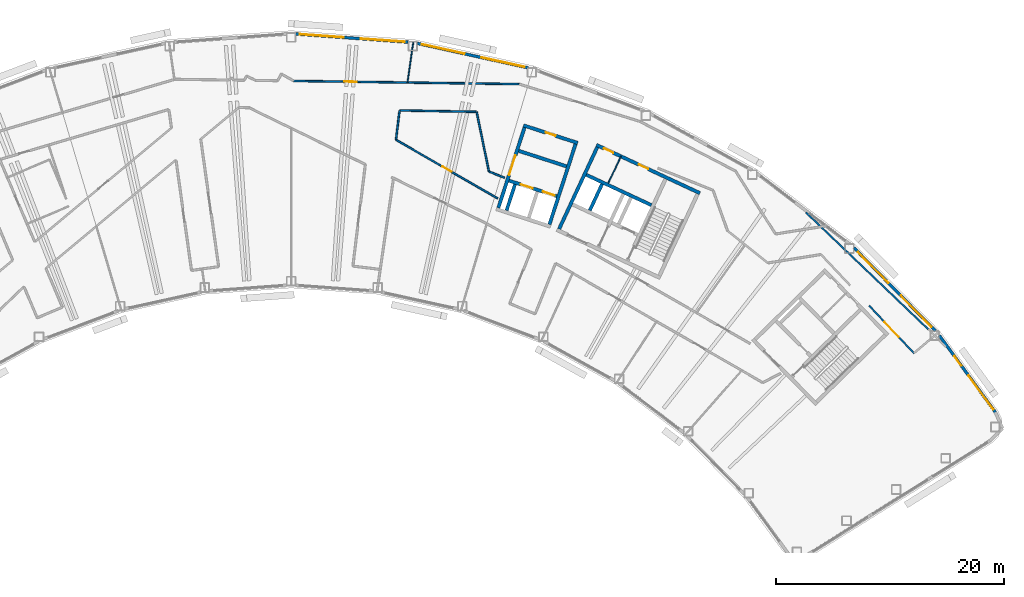
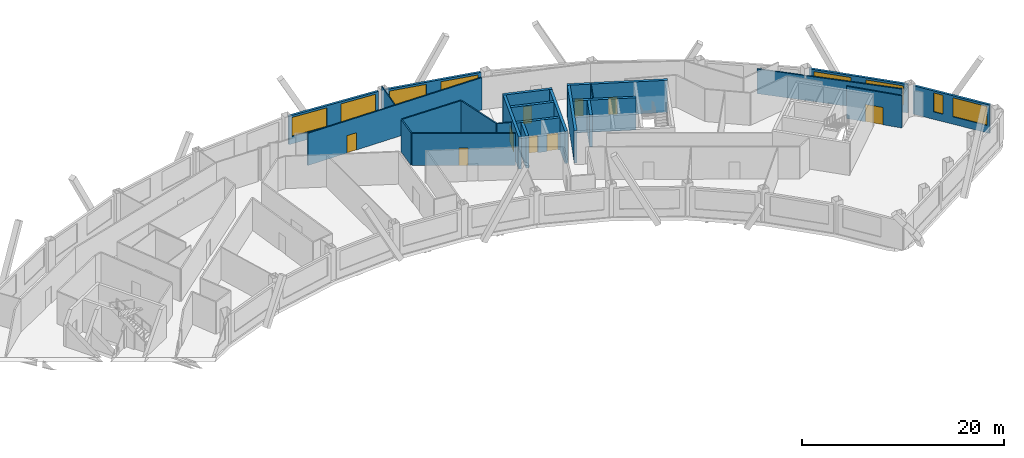
# One storey, part 10 of 13: 24 walls, 9 doors, 8 windows, 17 openings.
"""IFC4 building model written with IfcOpenShell, lengths in metres."""

import ifcopenshell
import ifcopenshell.guid

model = None  # the IFC model being written
_history = None  # IfcOwnerHistory: only IFC2X3 demands one
_inside = {}  # id of a spatial element -> (the spatial element, [elements in it])
_under = {}  # id of a project, library or spatial element -> (it, [spatial elements below it])
_declared = {}  # id of a project -> (the project, [libraries it declares])
_typed = {}  # id of a type object -> (the type object, [elements of that type])
_made_of = {}  # id of a material, layer set ... -> (it, [elements and type objects made of it])


def new_model(schema):
    """Start an empty IFC model of exactly this schema.

    Asked for "IFC4X3", IfcOpenShell would pick the latest addendum, in which some entities
    have other attributes; the version numbers below select the first issue.
    IFC2X3 requires an IfcOwnerHistory on every rooted entity: one is made here for all.
    """
    global model, _history
    if schema == "IFC4X3":
        model = ifcopenshell.file(schema_version=(4, 3, 0, 0))
    else:
        model = ifcopenshell.file(schema=schema)
    _inside.clear()
    _under.clear()
    _declared.clear()
    _typed.clear()
    _made_of.clear()
    _history = None
    if model.schema == "IFC2X3":
        org = make("IfcOrganization", Name="unknown")
        user = make(
            "IfcPersonAndOrganization",
            ThePerson=make("IfcPerson", FamilyName="unknown"),
            TheOrganization=org,
        )
        app = make(
            "IfcApplication",
            ApplicationDeveloper=org,
            Version="unknown",
            ApplicationFullName="unknown",
            ApplicationIdentifier="unknown",
        )
        _history = make(
            "IfcOwnerHistory",
            OwningUser=user,
            OwningApplication=app,
            ChangeAction="ADDED",
            CreationDate=0,
        )
    return model


def make(cls, **values):
    """One entity of the class cls with the attributes given. An attribute that is None is left unset."""
    return model.create_entity(
        cls, **{name: value for name, value in values.items() if value is not None}
    )


def rooted(cls, **values):
    """An entity with a GlobalId (a new one), such as an element, a storey or a relation."""
    return make(cls, GlobalId=ifcopenshell.guid.new(), OwnerHistory=_history, **values)


def si_unit(unit_type, name, prefix=None):
    """IfcSIUnit, for example si_unit("LENGTHUNIT", "METRE", prefix="MILLI")."""
    return make("IfcSIUnit", UnitType=unit_type, Prefix=prefix, Name=name)


def assignment(units):
    """IfcUnitAssignment: the units of a project."""
    return None if units is None else make("IfcUnitAssignment", Units=units)


def point(xyz):
    """IfcCartesianPoint."""
    return None if xyz is None else make("IfcCartesianPoint", Coordinates=xyz)


def direction(xyz):
    """IfcDirection."""
    return None if xyz is None else make("IfcDirection", DirectionRatios=xyz)


def frame(location, z_axis=None, x_axis=None):
    """IfcAxis2Placement3D, a coordinate frame: its origin and axes. An axis left out is left unset."""
    return make(
        "IfcAxis2Placement3D",
        Location=point(location),
        Axis=direction(z_axis),
        RefDirection=direction(x_axis),
    )


def frame_2d(location, x_axis=None):
    """IfcAxis2Placement2D, a coordinate frame in the plane: its origin and x axis."""
    return make(
        "IfcAxis2Placement2D", Location=point(location), RefDirection=direction(x_axis)
    )


def origin():
    """The frame at (0, 0, 0) with its axes left unset."""
    return frame((0.0, 0.0, 0.0))


def place(relative_to, where):
    """IfcLocalPlacement: puts the frame where relative to a parent placement (None: the world)."""
    return make(
        "IfcLocalPlacement", PlacementRelTo=relative_to, RelativePlacement=where
    )


def context(
    kind, dimensions, precision=None, world=None, true_north=None, identifier=None
):
    """IfcGeometricRepresentationContext, for example the 3D "Model" context."""
    return make(
        "IfcGeometricRepresentationContext",
        ContextIdentifier=identifier,
        ContextType=kind,
        CoordinateSpaceDimension=dimensions,
        Precision=precision,
        WorldCoordinateSystem=world,
        TrueNorth=true_north,
    )


def subcontext(parent, identifier, kind, view, scale=None):
    """IfcGeometricRepresentationSubContext, for example "Body" below "Model"."""
    return make(
        "IfcGeometricRepresentationSubContext",
        ContextIdentifier=identifier,
        ContextType=kind,
        ParentContext=parent,
        TargetScale=scale,
        TargetView=view,
    )


def project(units=None, contexts=None):
    """IfcProject with its units and contexts."""
    return rooted(
        "IfcProject",
        Name="project",
        RepresentationContexts=contexts,
        UnitsInContext=assignment(units),
    )


def spatial(cls, under=None, at=None, **own):
    """A site, building, storey or space (cls), placed at a placement, below another one or the project."""
    s = rooted(cls, ObjectPlacement=at, **own)
    if under is not None:
        _under.setdefault(under.id(), (under, []))[1].append(s)
    return s


def profile(cls, at=None, kind="AREA", **sizes):
    """A parametric profile (cls). Its sizes go by their IFC names, for example OverallWidth=200.0."""
    return make(cls, ProfileType=kind, Position=at, **sizes)


def rectangle(**sizes):
    """IfcRectangleProfileDef."""
    return profile("IfcRectangleProfileDef", **sizes)


def extrude(swept, where, along, depth):
    """IfcExtrudedAreaSolid: the profile swept, set in the frame where, extruded along a direction by depth."""
    return make(
        "IfcExtrudedAreaSolid",
        SweptArea=swept,
        Position=where,
        ExtrudedDirection=direction(along),
        Depth=depth,
    )


def shape(context_of_items, identifier, shape_type, items):
    """IfcShapeRepresentation: the items that make up one representation, for example the "Body"."""
    return make(
        "IfcShapeRepresentation",
        ContextOfItems=context_of_items,
        RepresentationIdentifier=identifier,
        RepresentationType=shape_type,
        Items=items,
    )


def material(Name=None, Category=None):
    """IfcMaterial."""
    return make("IfcMaterial", Name=Name, Category=Category)


def layer(
    of_material, thickness, ventilated=None, Name=None, Category=None, Priority=None
):
    """IfcMaterialLayer: one layer of a wall or slab, of a material (None: an air gap)."""
    return make(
        "IfcMaterialLayer",
        Material=of_material,
        LayerThickness=thickness,
        IsVentilated=ventilated,
        Name=Name,
        Category=Category,
        Priority=Priority,
    )


def layer_set(layers, Name=None):
    """IfcMaterialLayerSet."""
    return make("IfcMaterialLayerSet", MaterialLayers=layers, LayerSetName=Name)


def made_of(thing, what):
    """Note that an element or type object is made of a material, layer set ...; save() writes the relation."""
    if what is not None:
        _made_of.setdefault(what.id(), (what, []))[1].append(thing)
    return thing


def type_object(cls, material=None, **own):
    """A type object (cls), such as IfcWallType, which elements share."""
    return made_of(rooted(cls, **own), material)


def element(
    cls,
    number,
    at=None,
    inside=None,
    cuts=None,
    type_object=None,
    material=None,
    context=None,
    identifier="Body",
    shape_type=None,
    held_by="IfcProductDefinitionShape",
    body=None,
    shapes=None,
    **own,
):
    """One element of the class cls, such as IfcWall. Its Tag is "e" and its number.

    at: its placement. inside: the storey or other place that contains it. cuts: it is an
    opening in that element (IfcRelVoidsElement). A single representation is given by context,
    identifier, shape_type and body (its items); several are given by shapes. held_by: the class
    of the entity that holds the representations. save() writes the other relations.
    """
    e = rooted(cls, Tag="e%d" % number, ObjectPlacement=at, **own)
    if body is not None:
        shapes = [shape(context, identifier, shape_type, body)]
    if shapes is not None:
        e.Representation = make(held_by, Representations=shapes)
    if inside is not None:
        _inside.setdefault(inside.id(), (inside, []))[1].append(e)
    if cuts is not None:
        rooted(
            "IfcRelVoidsElement", RelatingBuildingElement=cuts, RelatedOpeningElement=e
        )
    if type_object is not None:
        _typed.setdefault(type_object.id(), (type_object, []))[1].append(e)
    return made_of(e, material)


def fill(opening, filler):
    """IfcRelFillsElement: the door or window that sits in an opening."""
    return rooted(
        "IfcRelFillsElement",
        RelatingOpeningElement=opening,
        RelatedBuildingElement=filler,
    )


def aggregate(whole, parts):
    """IfcRelAggregates: a whole, such as a stair, and the parts it consists of."""
    return rooted("IfcRelAggregates", RelatingObject=whole, RelatedObjects=parts)


def save(model, path):
    """Write the relations noted so far, then the file.

    IfcRelAggregates (storeys below a building ...), IfcRelContainedInSpatialStructure (elements
    in a storey), IfcRelDefinesByType, IfcRelAssociatesMaterial and IfcRelDeclares: one each for
    every whole, place, type object, material and project.
    """
    for whole, parts in _under.values():
        aggregate(whole, parts)
    for where, things in _inside.values():
        rooted(
            "IfcRelContainedInSpatialStructure",
            RelatedElements=things,
            RelatingStructure=where,
        )
    for kind, things in _typed.values():
        rooted("IfcRelDefinesByType", RelatedObjects=things, RelatingType=kind)
    for what, things in _made_of.values():
        rooted("IfcRelAssociatesMaterial", RelatedObjects=things, RelatingMaterial=what)
    for by, libraries in _declared.values():
        rooted("IfcRelDeclares", RelatingContext=by, RelatedDefinitions=libraries)
    model.write(path)


model = new_model("IFC4")

# Units and contexts
model_context = context("Model", 3, precision=1e-05, world=origin(), true_north=direction((0.0, 1.0)))
body_context = subcontext(model_context, "Body", "Model", "MODEL_VIEW")
ifc_project = project(units=[si_unit("LENGTHUNIT", "METRE"), si_unit("AREAUNIT", "SQUARE_METRE"), si_unit("VOLUMEUNIT", "CUBIC_METRE"), si_unit("PLANEANGLEUNIT", "RADIAN"), si_unit("MASSUNIT", "GRAM", prefix="KILO")], contexts=[model_context])

# Site, building, storey
site_placement = place(None, origin())
site = spatial("IfcSite", under=ifc_project, at=site_placement, CompositionType="ELEMENT")
building_placement = place(site_placement, origin())
building = spatial("IfcBuilding", under=site, at=building_placement, Name="Tuul Gate Civic Tower", CompositionType="ELEMENT")
storey_placement = place(building_placement, frame((0.0, 0.0, 319.699951171875)))
storey = spatial("IfcBuildingStorey", under=building, at=storey_placement, Name="Level 72", CompositionType="ELEMENT", Elevation=319.699951171875)

# Wall
ifc_material_1 = material(Name="Concrete C50/60", Category="concrete")
ifc_layer_1 = layer(ifc_material_1, 0.300048828125)
ifc_layer_set_1 = layer_set([ifc_layer_1], Name="Concrete C50/60")
wall_type_1 = type_object("IfcWallType", Name="Core wall C50/60", PredefinedType="SHEAR", material=ifc_layer_set_1)
wall_1_placement = place(storey_placement, frame((33.75, -0.873779296875, 0.0), z_axis=(0.0, 0.0, 1.0), x_axis=(-0.906300917592, 0.422632992999, 0.0)))
element("IfcWall", 1, at=wall_1_placement, inside=storey, type_object=wall_type_1, Name="Core wall", PredefinedType="SHEAR", context=body_context, shape_type="SweptSolid", body=[
    extrude(rectangle(XDim=6.300048828125, YDim=0.300048828125, at=frame_2d((3.14990234375, 0.0))), origin(), (0.0, 0.0, 1.0), 3.900146484375),
])

# Wall, openings, doors
wall_2_placement = place(storey_placement, frame((37.993408203125, 0.181884765625, 0.0), z_axis=(0.0, 0.0, 1.0), x_axis=(-0.906310338845, 0.422612789327, 0.0)))
wall_2 = element("IfcWall", 2, at=wall_2_placement, inside=storey, type_object=wall_type_1, Name="Core wall", PredefinedType="SHEAR", context=body_context, shape_type="SweptSolid", body=[
    extrude(rectangle(XDim=9.999755859375, YDim=0.300048828125, at=frame_2d((5.0, 0.0))), origin(), (0.0, 0.0, 1.0), 3.900146484375),
])
opening_1_placement = place(wall_2_placement, frame((4.99365234375, 0.0, 0.0)))
opening_1 = element("IfcOpeningElement", 3, at=opening_1_placement, cuts=wall_2, Name="Opening AA-D32", PredefinedType="OPENING", context=body_context, shape_type="SweptSolid", body=[
    extrude(rectangle(XDim=0.89990234375, YDim=2.10009765625, at=frame_2d((0.449951171875, 1.050048828125))), frame((0.0, 0.16015625, 0.0), z_axis=(0.0, -1.0, 0.0), x_axis=(1.0, 0.0, 0.0)), (0.0, 0.0, 1.0), 0.320068359375),
])
opening_2_placement = place(wall_2_placement, frame((8.368896484375, 0.0, 0.0)))
opening_2 = element("IfcOpeningElement", 4, at=opening_2_placement, cuts=wall_2, Name="Opening AA-D33", PredefinedType="OPENING", context=body_context, shape_type="SweptSolid", body=[
    extrude(rectangle(XDim=0.89990234375, YDim=2.10009765625, at=frame_2d((0.449951171875, 1.050048828125))), frame((0.0, 0.16015625, 0.0), z_axis=(0.0, -1.0, 0.0), x_axis=(1.0, 0.0, 0.0)), (0.0, 0.0, 1.0), 0.320068359375),
])
ifc_material_2 = material(Name="Timber door leaf", Category="wood")
door_type_1 = type_object("IfcDoorType", Name="Door D09", OperationType="NOTDEFINED", PredefinedType="DOOR", material=ifc_material_2)
door_1_placement = place(opening_1_placement, origin())
door_1 = element("IfcDoor", 5, at=door_1_placement, inside=storey, type_object=door_type_1, Name="Door AA-D32", OperationType="SINGLE_SWING_LEFT", OverallHeight=2.10009765625, OverallWidth=0.89990234375, PredefinedType="DOOR", context=body_context, shape_type="SweptSolid", body=[
    extrude(rectangle(XDim=0.89990234375, YDim=2.10009765625, at=frame_2d((0.449951171875, 1.050048828125))), frame((0.0, 0.02490234375, 0.0), z_axis=(0.0, -1.0, 0.0), x_axis=(1.0, 0.0, 0.0)), (0.0, 0.0, 1.0), 0.050048828125),
])
fill(opening_1, door_1)
door_2_placement = place(opening_2_placement, origin())
door_2 = element("IfcDoor", 6, at=door_2_placement, inside=storey, type_object=door_type_1, Name="Door AA-D33", OperationType="SINGLE_SWING_RIGHT", OverallHeight=2.10009765625, OverallWidth=0.89990234375, PredefinedType="DOOR", context=body_context, shape_type="SweptSolid", body=[
    extrude(rectangle(XDim=0.89990234375, YDim=2.10009765625, at=frame_2d((0.449951171875, 1.050048828125))), frame((0.0, 0.02490234375, 0.0), z_axis=(0.0, -1.0, 0.0), x_axis=(1.0, 0.0, 0.0)), (0.0, 0.0, 1.0), 0.050048828125),
])
fill(opening_2, door_2)

# Walls
wall_3_placement = place(storey_placement, frame((28.349365234375, -1.33447265625, 0.0), z_axis=(0.0, 0.0, 1.0), x_axis=(0.422612891016, 0.906310291427, 0.0)))
element("IfcWall", 7, at=wall_3_placement, inside=storey, type_object=wall_type_1, Name="Core wall", PredefinedType="SHEAR", context=body_context, shape_type="SweptSolid", body=[
    extrude(rectangle(XDim=2.550048828125, YDim=0.300048828125, at=frame_2d((1.27490234375, 0.0))), origin(), (0.0, 0.0, 1.0), 3.900146484375),
])
wall_4_placement = place(storey_placement, frame((25.66455078125, -2.951416015625, 0.0), z_axis=(0.0, 0.0, 1.0), x_axis=(0.422582604137, 0.906324413596, 0.0)))
element("IfcWall", 8, at=wall_4_placement, inside=storey, type_object=wall_type_1, Name="Core wall", PredefinedType="SHEAR", context=body_context, shape_type="SweptSolid", body=[
    extrude(rectangle(XDim=7.89990234375, YDim=0.300048828125, at=frame_2d((3.949951171875, 0.0))), origin(), (0.0, 0.0, 1.0), 3.900146484375),
])

# Wall, opening, door
ifc_material_3 = material(Name="Gypsum board partition")
ifc_layer_2 = layer(ifc_material_3, 0.14990234375)
ifc_layer_set_2 = layer_set([ifc_layer_2], Name="Gypsum board partition")
wall_type_2 = type_object("IfcWallType", Name="Corridor wall P150", PredefinedType="PARTITIONING", material=ifc_layer_set_2)
wall_5_placement = place(storey_placement, frame((2.418212890625, 10.010986328125, 0.0), z_axis=(0.0, 0.0, 1.0), x_axis=(0.999900426099, -0.014111622406, 0.0)))
wall_5 = element("IfcWall", 9, at=wall_5_placement, inside=storey, type_object=wall_type_2, Name="p017", PredefinedType="PARTITIONING", context=body_context, shape_type="SweptSolid", body=[
    extrude(rectangle(XDim=19.774658203125, YDim=0.14990234375, at=frame_2d((9.88720703125, 0.0))), origin(), (0.0, 0.0, 1.0), 3.900146484375),
])
opening_3_placement = place(wall_5_placement, frame((4.43017578125, 0.0, 0.0)))
opening_3 = element("IfcOpeningElement", 10, at=opening_3_placement, cuts=wall_5, Name="Opening AA-D02", PredefinedType="OPENING", context=body_context, shape_type="SweptSolid", body=[
    extrude(rectangle(XDim=1.10009765625, YDim=2.10009765625, at=frame_2d((0.550048828125, 1.050048828125))), frame((0.0, 0.0849609375, 0.0), z_axis=(0.0, -1.0, 0.0), x_axis=(1.0, 0.0, 0.0)), (0.0, 0.0, 1.0), 0.169921875),
])
ifc_material_4 = material(Name="Timber door leaf", Category="wood")
door_type_2 = type_object("IfcDoorType", Name="Door D11", OperationType="NOTDEFINED", PredefinedType="DOOR", material=ifc_material_4)
door_3_placement = place(opening_3_placement, origin())
door_3 = element("IfcDoor", 11, at=door_3_placement, inside=storey, type_object=door_type_2, Name="Door AA-D02", OperationType="SINGLE_SWING_RIGHT", OverallHeight=2.10009765625, OverallWidth=1.10009765625, PredefinedType="DOOR", context=body_context, shape_type="SweptSolid", body=[
    extrude(rectangle(XDim=1.10009765625, YDim=2.10009765625, at=frame_2d((0.550048828125, 1.050048828125))), frame((0.0, 0.02490234375, 0.0), z_axis=(0.0, -1.0, 0.0), x_axis=(1.0, 0.0, 0.0)), (0.0, 0.0, 1.0), 0.050048828125),
])
fill(opening_3, door_3)

wall_6_placement = place(storey_placement, frame((11.384521484375, 4.8466796875, 0.0), z_axis=(0.0, 0.0, 1.0), x_axis=(0.866676897493, -0.498869878177, 0.0)))
wall_6 = element("IfcWall", 12, at=wall_6_placement, inside=storey, type_object=wall_type_2, Name="p022", PredefinedType="PARTITIONING", context=body_context, shape_type="SweptSolid", body=[
    extrude(rectangle(XDim=10.282470703125, YDim=0.14990234375, at=frame_2d((5.14111328125, 0.0))), origin(), (0.0, 0.0, 1.0), 3.900146484375),
])
opening_4_placement = place(wall_6_placement, frame((4.69140625, 0.0, 0.0)))
opening_4 = element("IfcOpeningElement", 13, at=opening_4_placement, cuts=wall_6, Name="Opening AA-D22", PredefinedType="OPENING", context=body_context, shape_type="SweptSolid", body=[
    extrude(rectangle(XDim=0.89990234375, YDim=2.10009765625, at=frame_2d((0.449951171875, 1.050048828125))), frame((0.0, 0.0849609375, 0.0), z_axis=(0.0, -1.0, 0.0), x_axis=(1.0, 0.0, 0.0)), (0.0, 0.0, 1.0), 0.169921875),
])
door_4_placement = place(opening_4_placement, origin())
door_4 = element("IfcDoor", 14, at=door_4_placement, inside=storey, type_object=door_type_1, Name="Door AA-D22", OperationType="SINGLE_SWING_RIGHT", OverallHeight=2.10009765625, OverallWidth=0.89990234375, PredefinedType="DOOR", context=body_context, shape_type="SweptSolid", body=[
    extrude(rectangle(XDim=0.89990234375, YDim=2.10009765625, at=frame_2d((0.449951171875, 1.050048828125))), frame((0.0, 0.02490234375, 0.0), z_axis=(0.0, -1.0, 0.0), x_axis=(1.0, 0.0, 0.0)), (0.0, 0.0, 1.0), 0.050048828125),
])
fill(opening_4, door_4)

wall_7_placement = place(storey_placement, frame((52.81787109375, -9.66943359375, 0.0), z_axis=(0.0, 0.0, 1.0), x_axis=(0.685451920603, -0.728117891925, 0.0)))
wall_7 = element("IfcWall", 15, at=wall_7_placement, inside=storey, type_object=wall_type_2, Name="p062", PredefinedType="PARTITIONING", context=body_context, shape_type="SweptSolid", body=[
    extrude(rectangle(XDim=5.76220703125, YDim=0.14990234375, at=frame_2d((2.881103515625, 0.0))), origin(), (0.0, 0.0, 1.0), 3.900146484375),
])
opening_5_placement = place(wall_7_placement, frame((1.981201171875, 0.0, 0.0)))
opening_5 = element("IfcOpeningElement", 16, at=opening_5_placement, cuts=wall_7, Name="Opening AA-D09", PredefinedType="OPENING", context=body_context, shape_type="SweptSolid", body=[
    extrude(rectangle(XDim=1.800048828125, YDim=2.10009765625, at=frame_2d((0.89990234375, 1.050048828125))), frame((0.0, 0.0849609375, 0.0), z_axis=(0.0, -1.0, 0.0), x_axis=(1.0, 0.0, 0.0)), (0.0, 0.0, 1.0), 0.169921875),
])
ifc_material_5 = material(Name="Timber door leaf, double", Category="wood")
door_type_3 = type_object("IfcDoorType", Name="Door D18", OperationType="DOUBLE_DOOR_SINGLE_SWING", PredefinedType="DOOR", material=ifc_material_5)
door_5_placement = place(opening_5_placement, origin())
door_5 = element("IfcDoor", 17, at=door_5_placement, inside=storey, type_object=door_type_3, Name="Door AA-D09", OperationType="DOUBLE_DOOR_SINGLE_SWING", OverallHeight=2.10009765625, OverallWidth=1.800048828125, PredefinedType="DOOR", context=body_context, shape_type="SweptSolid", body=[
    extrude(rectangle(XDim=1.800048828125, YDim=2.10009765625, at=frame_2d((0.89990234375, 1.050048828125))), frame((0.0, 0.02490234375, 0.0), z_axis=(0.0, -1.0, 0.0), x_axis=(1.0, 0.0, 0.0)), (0.0, 0.0, 1.0), 0.050048828125),
])
fill(opening_5, door_5)

# Walls
wall_8_placement = place(storey_placement, frame((11.37451171875, 4.8671875, 0.0), z_axis=(0.0, 0.0, 1.0), x_axis=(0.121828693758, 0.992551141945, 0.0)))
element("IfcWall", 18, at=wall_8_placement, inside=storey, type_object=wall_type_2, Name="p075", PredefinedType="PARTITIONING", context=body_context, shape_type="SweptSolid", body=[
    extrude(rectangle(XDim=2.56103515625, YDim=0.14990234375, at=frame_2d((1.280517578125, 0.0))), origin(), (0.0, 0.0, 1.0), 3.900146484375),
])
wall_9_placement = place(storey_placement, frame((11.707275390625, 7.42724609375, 0.0), z_axis=(0.0, 0.0, 1.0), x_axis=(0.999836870623, -0.018061897525, 0.0)))
element("IfcWall", 19, at=wall_9_placement, inside=storey, type_object=wall_type_2, Name="p083", PredefinedType="PARTITIONING", context=body_context, shape_type="SweptSolid", body=[
    extrude(rectangle(XDim=6.7177734375, YDim=0.14990234375, at=frame_2d((3.35888671875, 0.0))), origin(), (0.0, 0.0, 1.0), 3.900146484375),
])
wall_10_placement = place(storey_placement, frame((18.44384765625, 7.28955078125, 0.0), z_axis=(0.0, 0.0, 1.0), x_axis=(0.201223030355, -0.979545451756, 0.0)))
element("IfcWall", 20, at=wall_10_placement, inside=storey, type_object=wall_type_2, Name="p103", PredefinedType="PARTITIONING", context=body_context, shape_type="SweptSolid", body=[
    extrude(rectangle(XDim=5.3203125, YDim=0.14990234375, at=frame_2d((2.66015625, 0.0))), origin(), (0.0, 0.0, 1.0), 3.900146484375),
])
wall_11_placement = place(storey_placement, frame((19.515380859375, 2.0771484375, 0.0), z_axis=(0.0, 0.0, 1.0), x_axis=(0.928613592245, -0.371048239853, 0.0)))
element("IfcWall", 21, at=wall_11_placement, inside=storey, type_object=wall_type_2, Name="p104", PredefinedType="PARTITIONING", context=body_context, shape_type="SweptSolid", body=[
    extrude(rectangle(XDim=1.47509765625, YDim=0.14990234375, at=frame_2d((0.737548828125, 0.0))), origin(), (0.0, 0.0, 1.0), 3.900146484375),
])
ifc_material_6 = material(Name="Gypsum board partition")
ifc_layer_3 = layer(ifc_material_6, 0.14990234375)
ifc_layer_set_3 = layer_set([ifc_layer_3], Name="Gypsum board partition")
wall_type_3 = type_object("IfcWallType", Name="Corridor wall P150 3000 HIGH", PredefinedType="PARTITIONING", material=ifc_layer_set_3)
wall_12_placement = place(storey_placement, frame((47.280517578125, -1.509521484375, 0.0), z_axis=(0.0, 0.0, 1.0), x_axis=(0.723161335939, -0.690679145626, 0.0)))
element("IfcWall", 22, at=wall_12_placement, inside=storey, type_object=wall_type_3, Name="p009", PredefinedType="PARTITIONING", context=body_context, shape_type="SweptSolid", body=[
    extrude(rectangle(XDim=14.814208984375, YDim=0.14990234375, at=frame_2d((7.4072265625, 0.0))), origin(), (0.0, 0.0, 1.0), 3.0),
])

# Wall, openings, windows
ifc_material_7 = material(Name="Precast concrete C40/50", Category="concrete")
ifc_layer_4 = layer(ifc_material_7, 0.25)
ifc_layer_set_4 = layer_set([ifc_layer_4], Name="Precast concrete C40/50")
wall_type_4 = type_object("IfcWallType", Name="External wall", PredefinedType="STANDARD", material=ifc_layer_set_4)
wall_13_placement = place(storey_placement, frame((63.881103515625, -19.017822265625, 0.0), z_axis=(0.0, 0.0, 1.0), x_axis=(-0.58975151757, 0.80758476182, 0.0)))
wall_13 = element("IfcWall", 23, at=wall_13_placement, inside=storey, type_object=wall_type_4, Name="External wall", PredefinedType="STANDARD", context=body_context, shape_type="SweptSolid", body=[
    extrude(rectangle(XDim=8.33740234375, YDim=0.25, at=frame_2d((4.168701171875, 0.0))), origin(), (0.0, 0.0, 1.0), 3.449951171875),
])
opening_6_placement = place(wall_13_placement, frame((0.30078125, 0.0, 0.89990234375)))
opening_6 = element("IfcOpeningElement", 24, at=opening_6_placement, cuts=wall_13, Name="Opening W21", PredefinedType="OPENING", context=body_context, shape_type="SweptSolid", body=[
    extrude(rectangle(XDim=3.699951171875, YDim=2.300048828125, at=frame_2d((1.85009765625, 1.14990234375))), frame((0.0, 0.135009765625, 0.0), z_axis=(0.0, -1.0, 0.0), x_axis=(1.0, 0.0, 0.0)), (0.0, 0.0, 1.0), 0.27001953125),
])
opening_7_placement = place(wall_13_placement, frame((5.05419921875, 0.0, 0.89990234375)))
opening_7 = element("IfcOpeningElement", 25, at=opening_7_placement, cuts=wall_13, Name="Opening W51", PredefinedType="OPENING", context=body_context, shape_type="SweptSolid", body=[
    extrude(rectangle(XDim=1.050048828125, YDim=2.300048828125, at=frame_2d((0.52490234375, 1.14990234375))), frame((0.0, 0.135009765625, 0.0), z_axis=(0.0, -1.0, 0.0), x_axis=(1.0, 0.0, 0.0)), (0.0, 0.0, 1.0), 0.27001953125),
])
ifc_material_8 = material(Name="Glass", Category="glass")
window_type_1 = type_object("IfcWindowType", Name="Window 1050 x 2300", PartitioningType="SINGLE_PANEL", PredefinedType="WINDOW", material=ifc_material_8)
window_1_placement = place(opening_7_placement, origin())
window_1 = element("IfcWindow", 26, at=window_1_placement, inside=storey, type_object=window_type_1, Name="Window", OverallHeight=2.300048828125, OverallWidth=1.050048828125, PartitioningType="SINGLE_PANEL", PredefinedType="WINDOW", context=body_context, shape_type="SweptSolid", body=[
    extrude(rectangle(XDim=1.050048828125, YDim=2.300048828125, at=frame_2d((0.52490234375, 1.14990234375))), frame((0.0, 0.030029296875, 0.0), z_axis=(0.0, -1.0, 0.0), x_axis=(1.0, 0.0, 0.0)), (0.0, 0.0, 1.0), 0.06005859375),
])
fill(opening_7, window_1)
ifc_material_9 = material(Name="Glass", Category="glass")
window_type_2 = type_object("IfcWindowType", Name="Window W21 3700 x 2300", PartitioningType="SINGLE_PANEL", PredefinedType="WINDOW", material=ifc_material_9)
window_2_placement = place(opening_6_placement, origin())
window_2 = element("IfcWindow", 27, at=window_2_placement, inside=storey, type_object=window_type_2, Name="Window", OverallHeight=2.300048828125, OverallWidth=3.699951171875, PartitioningType="SINGLE_PANEL", PredefinedType="WINDOW", context=body_context, shape_type="SweptSolid", body=[
    extrude(rectangle(XDim=3.699951171875, YDim=2.300048828125, at=frame_2d((1.85009765625, 1.14990234375))), frame((0.0, 0.030029296875, 0.0), z_axis=(0.0, -1.0, 0.0), x_axis=(1.0, 0.0, 0.0)), (0.0, 0.0, 1.0), 0.06005859375),
])
fill(opening_6, window_2)

wall_14_placement = place(storey_placement, frame((58.627197265625, -11.887939453125, 0.0), z_axis=(0.0, 0.0, 1.0), x_axis=(-0.700055609081, 0.714088330807, 0.0)))
wall_14 = element("IfcWall", 28, at=wall_14_placement, inside=storey, type_object=wall_type_4, Name="External wall", PredefinedType="STANDARD", context=body_context, shape_type="SweptSolid", body=[
    extrude(rectangle(XDim=10.1953125, YDim=0.25, at=frame_2d((5.09765625, 0.0))), origin(), (0.0, 0.0, 1.0), 3.449951171875),
])
opening_8_placement = place(wall_14_placement, frame((0.48681640625, 0.0, 0.89990234375)))
opening_8 = element("IfcOpeningElement", 29, at=opening_8_placement, cuts=wall_14, Name="Opening W22", PredefinedType="OPENING", context=body_context, shape_type="SweptSolid", body=[
    extrude(rectangle(XDim=3.85009765625, YDim=2.300048828125, at=frame_2d((1.925048828125, 1.14990234375))), frame((0.0, 0.135009765625, 0.0), z_axis=(0.0, -1.0, 0.0), x_axis=(1.0, 0.0, 0.0)), (0.0, 0.0, 1.0), 0.27001953125),
])
opening_9_placement = place(wall_14_placement, frame((5.85791015625, 0.0, 0.89990234375)))
opening_9 = element("IfcOpeningElement", 30, at=opening_9_placement, cuts=wall_14, Name="Opening W22", PredefinedType="OPENING", context=body_context, shape_type="SweptSolid", body=[
    extrude(rectangle(XDim=3.85009765625, YDim=2.300048828125, at=frame_2d((1.925048828125, 1.14990234375))), frame((0.0, 0.135009765625, 0.0), z_axis=(0.0, -1.0, 0.0), x_axis=(1.0, 0.0, 0.0)), (0.0, 0.0, 1.0), 0.27001953125),
])
ifc_material_10 = material(Name="Glass", Category="glass")
window_type_3 = type_object("IfcWindowType", Name="Window W22 3850 x 2300", PartitioningType="SINGLE_PANEL", PredefinedType="WINDOW", material=ifc_material_10)
window_3_placement = place(opening_8_placement, origin())
window_3 = element("IfcWindow", 31, at=window_3_placement, inside=storey, type_object=window_type_3, Name="Window", OverallHeight=2.300048828125, OverallWidth=3.85009765625, PartitioningType="SINGLE_PANEL", PredefinedType="WINDOW", context=body_context, shape_type="SweptSolid", body=[
    extrude(rectangle(XDim=3.85009765625, YDim=2.300048828125, at=frame_2d((1.925048828125, 1.14990234375))), frame((0.0, 0.030029296875, 0.0), z_axis=(0.0, -1.0, 0.0), x_axis=(1.0, 0.0, 0.0)), (0.0, 0.0, 1.0), 0.06005859375),
])
fill(opening_8, window_3)
window_4_placement = place(opening_9_placement, origin())
window_4 = element("IfcWindow", 32, at=window_4_placement, inside=storey, type_object=window_type_3, Name="Window", OverallHeight=2.300048828125, OverallWidth=3.85009765625, PartitioningType="SINGLE_PANEL", PredefinedType="WINDOW", context=body_context, shape_type="SweptSolid", body=[
    extrude(rectangle(XDim=3.85009765625, YDim=2.300048828125, at=frame_2d((1.925048828125, 1.14990234375))), frame((0.0, 0.030029296875, 0.0), z_axis=(0.0, -1.0, 0.0), x_axis=(1.0, 0.0, 0.0)), (0.0, 0.0, 1.0), 0.06005859375),
])
fill(opening_9, window_4)

wall_15_placement = place(storey_placement, frame((22.9658203125, 11.157958984375, 0.0), z_axis=(0.0, 0.0, 1.0), x_axis=(-0.976563421064, 0.215229841426, 0.0)))
wall_15 = element("IfcWall", 33, at=wall_15_placement, inside=storey, type_object=wall_type_4, Name="External wall", PredefinedType="STANDARD", context=body_context, shape_type="SweptSolid", body=[
    extrude(rectangle(XDim=9.958251953125, YDim=0.25, at=frame_2d((4.97900390625, 0.0))), origin(), (0.0, 0.0, 1.0), 3.449951171875),
])
opening_10_placement = place(wall_15_placement, frame((0.346923828125, 0.0, 0.89990234375)))
opening_10 = element("IfcOpeningElement", 34, at=opening_10_placement, cuts=wall_15, Name="Opening W22", PredefinedType="OPENING", context=body_context, shape_type="SweptSolid", body=[
    extrude(rectangle(XDim=3.85009765625, YDim=2.300048828125, at=frame_2d((1.925048828125, 1.14990234375))), frame((0.0, 0.135009765625, 0.0), z_axis=(0.0, -1.0, 0.0), x_axis=(1.0, 0.0, 0.0)), (0.0, 0.0, 1.0), 0.27001953125),
])
opening_11_placement = place(wall_15_placement, frame((5.71826171875, 0.0, 0.89990234375)))
opening_11 = element("IfcOpeningElement", 35, at=opening_11_placement, cuts=wall_15, Name="Opening W22", PredefinedType="OPENING", context=body_context, shape_type="SweptSolid", body=[
    extrude(rectangle(XDim=3.85009765625, YDim=2.300048828125, at=frame_2d((1.925048828125, 1.14990234375))), frame((0.0, 0.135009765625, 0.0), z_axis=(0.0, -1.0, 0.0), x_axis=(1.0, 0.0, 0.0)), (0.0, 0.0, 1.0), 0.27001953125),
])
window_5_placement = place(opening_10_placement, origin())
window_5 = element("IfcWindow", 36, at=window_5_placement, inside=storey, type_object=window_type_3, Name="Window", OverallHeight=2.300048828125, OverallWidth=3.85009765625, PartitioningType="SINGLE_PANEL", PredefinedType="WINDOW", context=body_context, shape_type="SweptSolid", body=[
    extrude(rectangle(XDim=3.85009765625, YDim=2.300048828125, at=frame_2d((1.925048828125, 1.14990234375))), frame((0.0, 0.030029296875, 0.0), z_axis=(0.0, -1.0, 0.0), x_axis=(1.0, 0.0, 0.0)), (0.0, 0.0, 1.0), 0.06005859375),
])
fill(opening_10, window_5)
window_6_placement = place(opening_11_placement, origin())
window_6 = element("IfcWindow", 37, at=window_6_placement, inside=storey, type_object=window_type_3, Name="Window", OverallHeight=2.300048828125, OverallWidth=3.85009765625, PartitioningType="SINGLE_PANEL", PredefinedType="WINDOW", context=body_context, shape_type="SweptSolid", body=[
    extrude(rectangle(XDim=3.85009765625, YDim=2.300048828125, at=frame_2d((1.925048828125, 1.14990234375))), frame((0.0, 0.030029296875, 0.0), z_axis=(0.0, -1.0, 0.0), x_axis=(1.0, 0.0, 0.0)), (0.0, 0.0, 1.0), 0.06005859375),
])
fill(opening_11, window_6)

wall_16_placement = place(storey_placement, frame((12.44091796875, 13.411376953125, 0.0), z_axis=(0.0, 0.0, 1.0), x_axis=(-0.997387042659, 0.072243249762, 0.0)))
wall_16 = element("IfcWall", 38, at=wall_16_placement, inside=storey, type_object=wall_type_4, Name="External wall", PredefinedType="STANDARD", context=body_context, shape_type="SweptSolid", body=[
    extrude(rectangle(XDim=9.874755859375, YDim=0.25, at=frame_2d((4.9375, 0.0))), origin(), (0.0, 0.0, 1.0), 3.449951171875),
])
opening_12_placement = place(wall_16_placement, frame((0.303466796875, 0.0, 0.89990234375)))
opening_12 = element("IfcOpeningElement", 39, at=opening_12_placement, cuts=wall_16, Name="Opening W22", PredefinedType="OPENING", context=body_context, shape_type="SweptSolid", body=[
    extrude(rectangle(XDim=3.85009765625, YDim=2.300048828125, at=frame_2d((1.925048828125, 1.14990234375))), frame((0.0, 0.135009765625, 0.0), z_axis=(0.0, -1.0, 0.0), x_axis=(1.0, 0.0, 0.0)), (0.0, 0.0, 1.0), 0.27001953125),
])
opening_13_placement = place(wall_16_placement, frame((5.67431640625, 0.0, 0.89990234375)))
opening_13 = element("IfcOpeningElement", 40, at=opening_13_placement, cuts=wall_16, Name="Opening W22", PredefinedType="OPENING", context=body_context, shape_type="SweptSolid", body=[
    extrude(rectangle(XDim=3.85009765625, YDim=2.300048828125, at=frame_2d((1.925048828125, 1.14990234375))), frame((0.0, 0.135009765625, 0.0), z_axis=(0.0, -1.0, 0.0), x_axis=(1.0, 0.0, 0.0)), (0.0, 0.0, 1.0), 0.27001953125),
])
window_7_placement = place(opening_12_placement, origin())
window_7 = element("IfcWindow", 41, at=window_7_placement, inside=storey, type_object=window_type_3, Name="Window", OverallHeight=2.300048828125, OverallWidth=3.85009765625, PartitioningType="SINGLE_PANEL", PredefinedType="WINDOW", context=body_context, shape_type="SweptSolid", body=[
    extrude(rectangle(XDim=3.85009765625, YDim=2.300048828125, at=frame_2d((1.925048828125, 1.14990234375))), frame((0.0, 0.030029296875, 0.0), z_axis=(0.0, -1.0, 0.0), x_axis=(1.0, 0.0, 0.0)), (0.0, 0.0, 1.0), 0.06005859375),
])
fill(opening_12, window_7)
window_8_placement = place(opening_13_placement, origin())
window_8 = element("IfcWindow", 42, at=window_8_placement, inside=storey, type_object=window_type_3, Name="Window", OverallHeight=2.300048828125, OverallWidth=3.85009765625, PartitioningType="SINGLE_PANEL", PredefinedType="WINDOW", context=body_context, shape_type="SweptSolid", body=[
    extrude(rectangle(XDim=3.85009765625, YDim=2.300048828125, at=frame_2d((1.925048828125, 1.14990234375))), frame((0.0, 0.030029296875, 0.0), z_axis=(0.0, -1.0, 0.0), x_axis=(1.0, 0.0, 0.0)), (0.0, 0.0, 1.0), 0.06005859375),
])
fill(opening_13, window_8)

# Wall, openings, doors
ifc_material_11 = material(Name="Concrete C40/50", Category="concrete")
ifc_layer_5 = layer(ifc_material_11, 0.300048828125)
ifc_layer_set_5 = layer_set([ifc_layer_5], Name="Concrete C40/50")
wall_type_5 = type_object("IfcWallType", Name="Lift shaft wall C40/50", PredefinedType="STANDARD", material=ifc_layer_set_5)
wall_17_placement = place(storey_placement, frame((25.460693359375, -0.0859375, 0.0), z_axis=(0.0, 0.0, 1.0), x_axis=(-0.951063829732, 0.308994485023, 0.0)))
wall_17 = element("IfcWall", 43, at=wall_17_placement, inside=storey, type_object=wall_type_5, Name="Shaft wall", PredefinedType="STANDARD", context=body_context, shape_type="SweptSolid", body=[
    extrude(rectangle(XDim=4.400146484375, YDim=0.300048828125, at=frame_2d((2.2001953125, 0.0))), origin(), (0.0, 0.0, 1.0), 3.900146484375),
])
opening_14_placement = place(wall_17_placement, frame((0.175048828125, 0.0, 0.0)))
opening_14 = element("IfcOpeningElement", 44, at=opening_14_placement, cuts=wall_17, Name="Opening LD-H2", PredefinedType="OPENING", context=body_context, shape_type="SweptSolid", body=[
    extrude(rectangle(XDim=1.10009765625, YDim=2.10009765625, at=frame_2d((0.550048828125, 1.050048828125))), frame((0.0, 0.16015625, 0.0), z_axis=(0.0, -1.0, 0.0), x_axis=(1.0, 0.0, 0.0)), (0.0, 0.0, 1.0), 0.320068359375),
])
opening_15_placement = place(wall_17_placement, frame((2.22509765625, 0.0, 0.0)))
opening_15 = element("IfcOpeningElement", 45, at=opening_15_placement, cuts=wall_17, Name="Opening LD-H3", PredefinedType="OPENING", context=body_context, shape_type="SweptSolid", body=[
    extrude(rectangle(XDim=1.10009765625, YDim=2.10009765625, at=frame_2d((0.550048828125, 1.050048828125))), frame((0.0, 0.16015625, 0.0), z_axis=(0.0, -1.0, 0.0), x_axis=(1.0, 0.0, 0.0)), (0.0, 0.0, 1.0), 0.320068359375),
])
ifc_material_12 = material(Name="Stainless steel", Category="steel")
door_type_4 = type_object("IfcDoorType", Name="Landing door", OperationType="DOUBLE_DOOR_SLIDING", PredefinedType="DOOR", material=ifc_material_12)
door_6_placement = place(opening_14_placement, origin())
door_6 = element("IfcDoor", 46, at=door_6_placement, inside=storey, type_object=door_type_4, Name="High-rise lift H2 landing door", OperationType="DOUBLE_DOOR_SLIDING", OverallHeight=2.10009765625, OverallWidth=1.10009765625, PredefinedType="DOOR", context=body_context, shape_type="SweptSolid", body=[
    extrude(rectangle(XDim=1.10009765625, YDim=2.10009765625, at=frame_2d((0.550048828125, 1.050048828125))), frame((0.0, 0.02490234375, 0.0), z_axis=(0.0, -1.0, 0.0), x_axis=(1.0, 0.0, 0.0)), (0.0, 0.0, 1.0), 0.050048828125),
])
fill(opening_14, door_6)
door_7_placement = place(opening_15_placement, origin())
door_7 = element("IfcDoor", 47, at=door_7_placement, inside=storey, type_object=door_type_4, Name="High-rise lift H3 landing door", OperationType="DOUBLE_DOOR_SLIDING", OverallHeight=2.10009765625, OverallWidth=1.10009765625, PredefinedType="DOOR", context=body_context, shape_type="SweptSolid", body=[
    extrude(rectangle(XDim=1.10009765625, YDim=2.10009765625, at=frame_2d((0.550048828125, 1.050048828125))), frame((0.0, 0.02490234375, 0.0), z_axis=(0.0, -1.0, 0.0), x_axis=(1.0, 0.0, 0.0)), (0.0, 0.0, 1.0), 0.050048828125),
])
fill(opening_15, door_7)

# Wall
wall_18_placement = place(storey_placement, frame((26.310546875, 2.529541015625, 0.0), z_axis=(0.0, 0.0, 1.0), x_axis=(-0.951058531764, 0.30901079133, 0.0)))
element("IfcWall", 48, at=wall_18_placement, inside=storey, type_object=wall_type_5, Name="Shaft wall", PredefinedType="STANDARD", context=body_context, shape_type="SweptSolid", body=[
    extrude(rectangle(XDim=4.39990234375, YDim=0.300048828125, at=frame_2d((2.199951171875, 0.0))), origin(), (0.0, 0.0, 1.0), 3.900146484375),
])

# Wall, opening, door
wall_19_placement = place(storey_placement, frame((27.29150390625, 4.57666015625, 0.0), z_axis=(0.0, 0.0, 1.0), x_axis=(-0.951067792613, 0.308982287281, 0.0)))
wall_19 = element("IfcWall", 49, at=wall_19_placement, inside=storey, type_object=wall_type_5, Name="Shaft wall", PredefinedType="STANDARD", context=body_context, shape_type="SweptSolid", body=[
    extrude(rectangle(XDim=5.0, YDim=0.300048828125, at=frame_2d((2.5, 0.0))), origin(), (0.0, 0.0, 1.0), 3.900146484375),
])
opening_16_placement = place(wall_19_placement, frame((2.050048828125, 0.0, 0.0)))
opening_16 = element("IfcOpeningElement", 50, at=opening_16_placement, cuts=wall_19, Name="Opening AA-D34", PredefinedType="OPENING", context=body_context, shape_type="SweptSolid", body=[
    extrude(rectangle(XDim=0.89990234375, YDim=2.10009765625, at=frame_2d((0.449951171875, 1.050048828125))), frame((0.0, 0.16015625, 0.0), z_axis=(0.0, -1.0, 0.0), x_axis=(1.0, 0.0, 0.0)), (0.0, 0.0, 1.0), 0.320068359375),
])
door_8_placement = place(opening_16_placement, origin())
door_8 = element("IfcDoor", 51, at=door_8_placement, inside=storey, type_object=door_type_1, Name="Door AA-D34", OperationType="SINGLE_SWING_LEFT", OverallHeight=2.10009765625, OverallWidth=0.89990234375, PredefinedType="DOOR", context=body_context, shape_type="SweptSolid", body=[
    extrude(rectangle(XDim=0.89990234375, YDim=2.10009765625, at=frame_2d((0.449951171875, 1.050048828125))), frame((0.0, 0.02490234375, 0.0), z_axis=(0.0, -1.0, 0.0), x_axis=(1.0, 0.0, 0.0)), (0.0, 0.0, 1.0), 0.050048828125),
])
fill(opening_16, door_8)

# Walls
wall_20_placement = place(storey_placement, frame((24.815185546875, -2.557373046875, 0.0), z_axis=(0.0, 0.0, 1.0), x_axis=(0.30907264409, 0.951038432807, 0.0)))
element("IfcWall", 52, at=wall_20_placement, inside=storey, type_object=wall_type_5, Name="Shaft wall", PredefinedType="STANDARD", context=body_context, shape_type="SweptSolid", body=[
    extrude(rectangle(XDim=7.39990234375, YDim=0.300048828125, at=frame_2d((3.699951171875, 0.0))), origin(), (0.0, 0.0, 1.0), 3.900146484375),
])
wall_21_placement = place(storey_placement, frame((21.058349609375, -1.336669921875, 0.0), z_axis=(0.0, 0.0, 1.0), x_axis=(0.309138975195, 0.951016873675, 0.0)))
element("IfcWall", 53, at=wall_21_placement, inside=storey, type_object=wall_type_5, Name="Shaft wall", PredefinedType="STANDARD", context=body_context, shape_type="SweptSolid", body=[
    extrude(rectangle(XDim=2.400146484375, YDim=0.300048828125, at=frame_2d((1.2001953125, 0.0))), origin(), (0.0, 0.0, 1.0), 3.900146484375),
])

# Wall, opening, door
wall_22_placement = place(storey_placement, frame((20.34521484375, -1.10498046875, 0.0), z_axis=(0.0, 0.0, 1.0), x_axis=(0.30907264409, 0.951038432807, 0.0)))
wall_22 = element("IfcWall", 54, at=wall_22_placement, inside=storey, type_object=wall_type_5, Name="Shaft wall", PredefinedType="STANDARD", context=body_context, shape_type="SweptSolid", body=[
    extrude(rectangle(XDim=7.39990234375, YDim=0.300048828125, at=frame_2d((3.699951171875, 0.0))), origin(), (0.0, 0.0, 1.0), 3.900146484375),
])
opening_17_placement = place(wall_22_placement, frame((3.02490234375, 0.0, 0.0)))
opening_17 = element("IfcOpeningElement", 55, at=opening_17_placement, cuts=wall_22, Name="Opening LB-E4-LOBBY-1", PredefinedType="OPENING", context=body_context, shape_type="SweptSolid", body=[
    extrude(rectangle(XDim=1.800048828125, YDim=2.10009765625, at=frame_2d((0.89990234375, 1.050048828125))), frame((0.0, 0.16015625, 0.0), z_axis=(0.0, -1.0, 0.0), x_axis=(1.0, 0.0, 0.0)), (0.0, 0.0, 1.0), 0.320068359375),
])
ifc_material_13 = material(Name="Steel", Category="steel")
door_type_5 = type_object("IfcDoorType", Name="Lobby door", OperationType="DOUBLE_DOOR_SINGLE_SWING", PredefinedType="DOOR", material=ifc_material_13)
door_9_placement = place(opening_17_placement, frame((1.800048828125, 0.0, 0.0), z_axis=(0.0, 0.0, 1.0), x_axis=(-1.0, 0.0, 0.0)))
door_9 = element("IfcDoor", 56, at=door_9_placement, inside=storey, type_object=door_type_5, Name="Lobby door E4-LOBBY", OperationType="DOUBLE_DOOR_SINGLE_SWING", OverallHeight=2.10009765625, OverallWidth=1.800048828125, PredefinedType="DOOR", context=body_context, shape_type="SweptSolid", body=[
    extrude(rectangle(XDim=1.800048828125, YDim=2.10009765625, at=frame_2d((0.900146484375, 1.050048828125))), frame((0.0, 0.02490234375, 0.0), z_axis=(0.0, -1.0, 0.0), x_axis=(1.0, 0.0, 0.0)), (0.0, 0.0, 1.0), 0.050048828125),
])
fill(opening_17, door_9)

# Walls
ifc_material_14 = material(Name="Gypsum board partition")
ifc_layer_6 = layer(ifc_material_14, 0.10009765625)
ifc_layer_set_6 = layer_set([ifc_layer_6], Name="Gypsum board partition")
wall_type_6 = type_object("IfcWallType", Name="Partition P100", PredefinedType="PARTITIONING", material=ifc_layer_set_6)
wall_23_placement = place(storey_placement, frame((12.37744140625, 9.87060546875, 0.0), z_axis=(0.0, 0.0, 1.0), x_axis=(0.144135747745, 0.989557924642, 0.0)))
element("IfcWall", 57, at=wall_23_placement, inside=storey, type_object=wall_type_6, Name="p002", PredefinedType="PARTITIONING", context=body_context, shape_type="SweptSolid", body=[
    extrude(rectangle(XDim=3.55029296875, YDim=0.10009765625, at=frame_2d((1.775146484375, 0.0))), origin(), (0.0, 0.0, 1.0), 3.900146484375),
])
wall_24_placement = place(storey_placement, frame((29.972900390625, 1.052978515625, 0.0), z_axis=(0.0, 0.0, 1.0), x_axis=(0.422556439746, 0.906336612539, 0.0)))
element("IfcWall", 58, at=wall_24_placement, inside=storey, type_object=wall_type_6, Name="bE3-BAND-0", PredefinedType="PARTITIONING", context=body_context, shape_type="SweptSolid", body=[
    extrude(rectangle(XDim=2.599853515625, YDim=0.10009765625, at=frame_2d((1.2998046875, 0.0))), origin(), (0.0, 0.0, 1.0), 3.900146484375),
])

save(model, "model.ifc")
